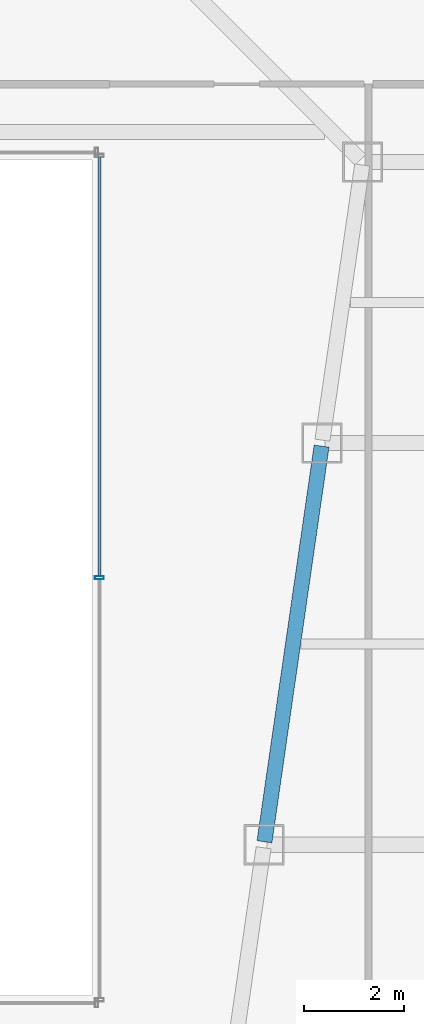
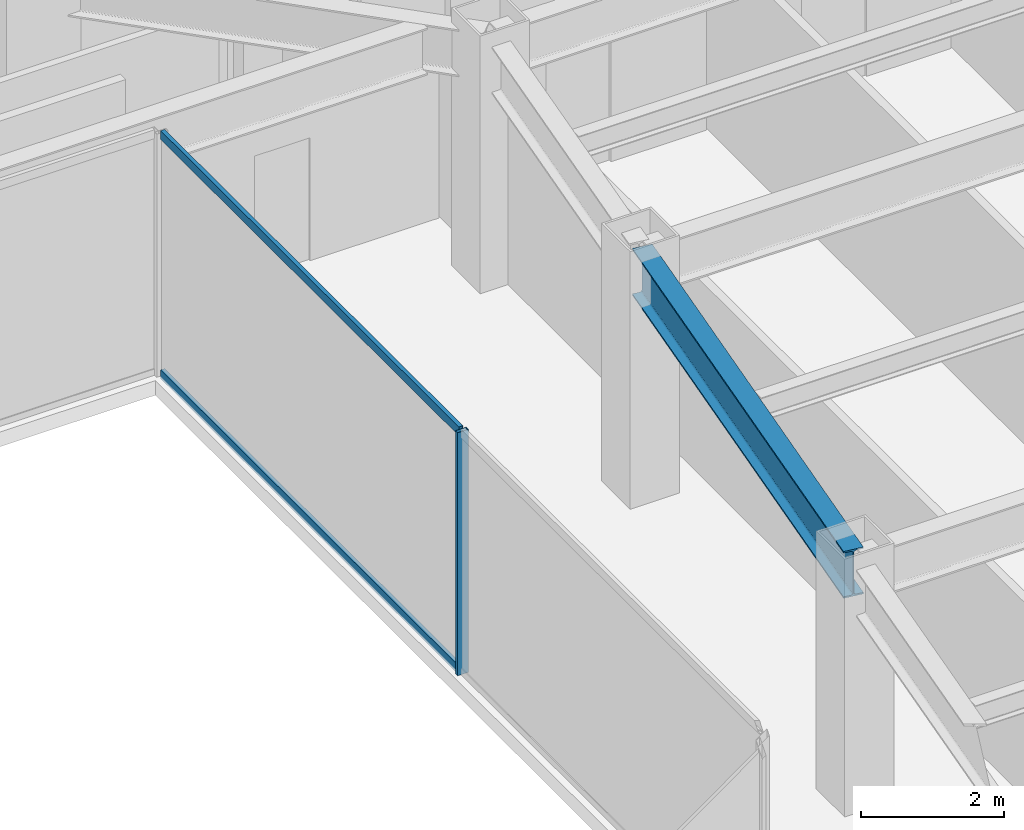
# One storey, part 20 of 47: 3 members, 1 beam, 1 element without a shape of its own.
"""IFC4 building model written with IfcOpenShell, lengths in metres."""

from ifc_helpers import new_model, si_unit, direction, frame, origin, origin_2d, place, context, subcontext, project, spatial, hollow_rectangle, i_section, extrude, material, material_profile, profile_set, type_object, element, aggregate, save


model = new_model("IFC4")

# Units and contexts
model_context = context("Model", 3, precision=1e-05, world=origin(), true_north=direction((0.0, 1.0)))
body_context = subcontext(model_context, "Body", "Model", "MODEL_VIEW")
ifc_project = project(units=[si_unit("LENGTHUNIT", "METRE"), si_unit("AREAUNIT", "SQUARE_METRE"), si_unit("VOLUMEUNIT", "CUBIC_METRE"), si_unit("PLANEANGLEUNIT", "RADIAN"), si_unit("MASSUNIT", "GRAM", prefix="KILO")], contexts=[model_context])

# Site, building, storey
site_placement = place(None, origin())
site = spatial("IfcSite", under=ifc_project, at=site_placement, CompositionType="ELEMENT")
building_placement = place(site_placement, origin())
building = spatial("IfcBuilding", under=site, at=building_placement, Name="Saevonmaru Cultural Tower", CompositionType="ELEMENT")
storey_placement = place(building_placement, frame((0.0, 0.0, 92.800048828125)))
storey = spatial("IfcBuildingStorey", under=building, at=storey_placement, Name="L19", CompositionType="ELEMENT", Elevation=92.800048828125)

# Beam
ifc_material_1 = material(Name="Steel SM420", Category="steel")
ifc_material_profile_1 = material_profile(ifc_material_1, i_section(OverallWidth=0.300048828125, OverallDepth=0.800048828125, WebThickness=0.013916015625, FlangeThickness=0.02587890625, FilletRadius=0.028076171875, at=origin_2d()), Name="H-800x300x14x26")
ifc_profile_set_1 = profile_set([ifc_material_profile_1], Name="Steel SM420")
beam_type = type_object("IfcBeamType", Name="BM-G-H800", PredefinedType="BEAM", material=ifc_profile_set_1)
beam_placement = place(storey_placement, frame((39.236572265625, 24.059326171875, 3.75), z_axis=(0.142902032203, 0.989736838353, 0.0), x_axis=(-0.989736838353, 0.142902032203, 0.0)))
element("IfcBeam", 1, at=beam_placement, inside=storey, type_object=beam_type, Name="L19 East Atrium Girder 4", PredefinedType="BEAM", context=body_context, shape_type="SweptSolid", body=[
    extrude(i_section(OverallWidth=0.300048828125, OverallDepth=0.800048828125, WebThickness=0.013916015625, FlangeThickness=0.02587890625, FilletRadius=0.028076171875, at=origin_2d()), origin(), (0.0, 0.0, 1.0), 7.963134765625),
])

# Curtain wall, members
ifc_material_2 = material(Name="Satin Bronze Anodised Aluminium", Category="aluminium")
curtain_wall_type = type_object("IfcCurtainWallType", Name="CW-ATR-GLZ", PredefinedType="NOTDEFINED", material=ifc_material_2)
curtain_wall_placement = place(storey_placement, origin())
curtain_wall = element("IfcCurtainWall", 2, at=curtain_wall_placement, inside=storey, type_object=curtain_wall_type, Name="L19 Vertical Atrium Glazed Smoke Screen 2", PredefinedType="NOTDEFINED")
ifc_material_profile_2 = material_profile(ifc_material_2, hollow_rectangle(XDim=0.06494140625, YDim=0.179931640625, WallThickness=0.00390625, at=origin_2d()), Name="ALU-MULL-180x65x4")
ifc_profile_set_2 = profile_set([ifc_material_profile_2], Name="Satin Bronze Anodised Aluminium")
member_type_1 = type_object("IfcMemberType", Name="ML-CW-INT-180x65", PredefinedType="MULLION", material=ifc_profile_set_2)
member_1_placement = place(storey_placement, frame((35.949951171875, 29.320068359375, 0.0), z_axis=(0.0, 0.0, 1.0), x_axis=(0.0, 1.0, 0.0)))
member_1 = element("IfcMember", 3, at=member_1_placement, type_object=member_type_1, Name="CW-ATR-L19-2 mullion 2", PredefinedType="MULLION", context=body_context, shape_type="SweptSolid", body=[
    extrude(hollow_rectangle(XDim=0.06494140625, YDim=0.179931640625, WallThickness=0.00390625, at=origin_2d()), origin(), (0.0, 0.0, 1.0), 4.14990234375),
])
ifc_material_profile_3 = material_profile(ifc_material_2, hollow_rectangle(XDim=0.06494140625, YDim=0.14990234375, WallThickness=0.00390625, at=origin_2d()), Name="ALU-TRAN-150x65x4")
ifc_profile_set_3 = profile_set([ifc_material_profile_3], Name="Satin Bronze Anodised Aluminium")
member_type_2 = type_object("IfcMemberType", Name="TR-CW-INT-150x65", PredefinedType="USERDEFINED", material=ifc_profile_set_3)
member_2_placement = place(storey_placement, frame((35.949951171875, 29.3525390625, 0.032470703125), z_axis=(0.0, 1.0, 0.0), x_axis=(-1.0, 0.0, 0.0)))
member_2 = element("IfcMember", 4, at=member_2_placement, type_object=member_type_2, Name="CW-ATR-L19-2 transom 2.1", ObjectType="TRANSOM", PredefinedType="USERDEFINED", context=body_context, shape_type="SweptSolid", body=[
    extrude(hollow_rectangle(XDim=0.06494140625, YDim=0.14990234375, WallThickness=0.00390625, at=origin_2d()), origin(), (0.0, 0.0, 1.0), 8.344970703125),
])
member_3_placement = place(storey_placement, frame((35.949951171875, 29.3525390625, 4.117431640625), z_axis=(0.0, 1.0, 0.0), x_axis=(-1.0, 0.0, 0.0)))
member_3 = element("IfcMember", 5, at=member_3_placement, type_object=member_type_2, Name="CW-ATR-L19-2 transom 2.2", ObjectType="TRANSOM", PredefinedType="USERDEFINED", context=body_context, shape_type="SweptSolid", body=[
    extrude(hollow_rectangle(XDim=0.06494140625, YDim=0.14990234375, WallThickness=0.00390625, at=origin_2d()), origin(), (0.0, 0.0, 1.0), 8.344970703125),
])
aggregate(curtain_wall, [member_1, member_2, member_3])

save(model, "model.ifc")
